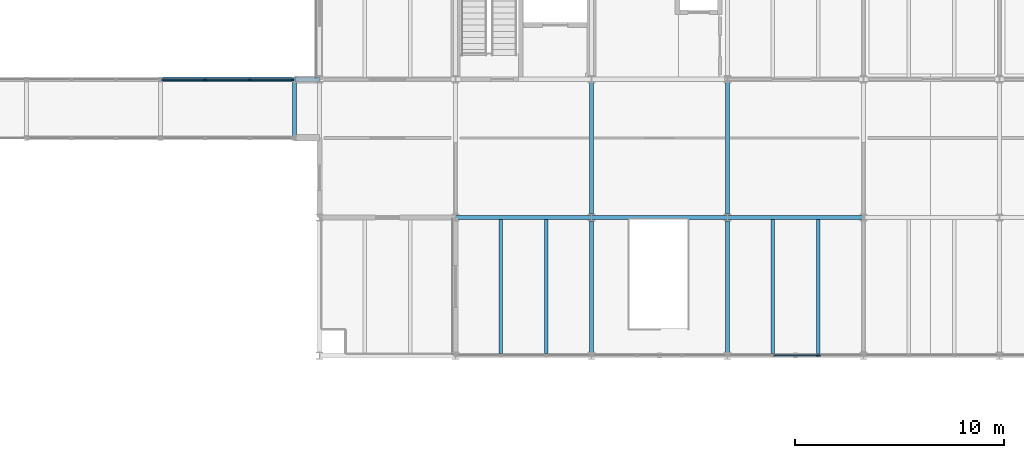
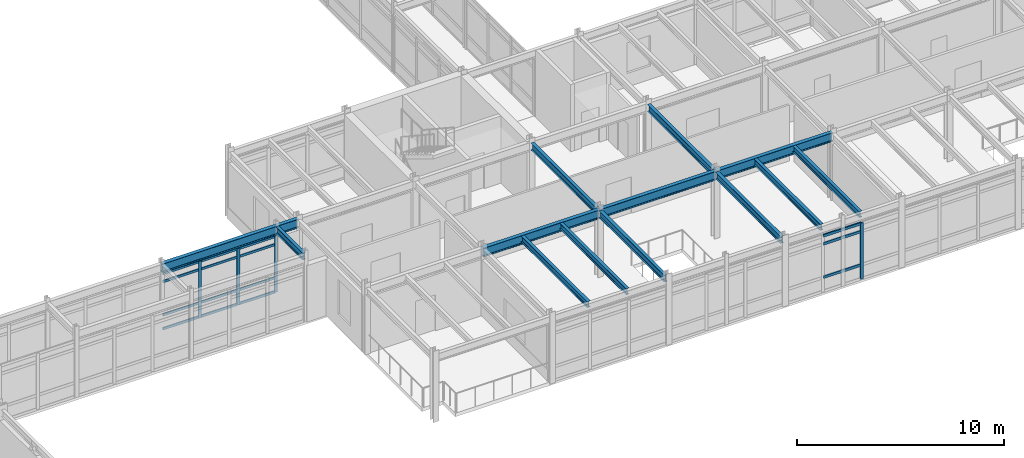
# One storey, part 69 of 144: 19 members, 14 beams, 2 elements without a shape of their own.
"""IFC4 building model written with IfcOpenShell, lengths in metres."""

from ifc_helpers import new_model, si_unit, direction, frame, origin, origin_2d, place, context, subcontext, project, spatial, rectangle, i_section, extrude, material, layer, layer_set, material_profile, profile_set, type_object, element, aggregate, save


model = new_model("IFC4")

# Units and contexts
model_context = context("Model", 3, precision=1e-05, world=origin(), true_north=direction((0.0, 1.0)))
body_context = subcontext(model_context, "Body", "Model", "MODEL_VIEW")
ifc_project = project(units=[si_unit("LENGTHUNIT", "METRE"), si_unit("AREAUNIT", "SQUARE_METRE"), si_unit("VOLUMEUNIT", "CUBIC_METRE"), si_unit("PLANEANGLEUNIT", "RADIAN"), si_unit("MASSUNIT", "GRAM", prefix="KILO")], contexts=[model_context])

# Site, building, storey
site_placement = place(None, origin())
site = spatial("IfcSite", under=ifc_project, at=site_placement, CompositionType="ELEMENT")
building_placement = place(site_placement, origin())
building = spatial("IfcBuilding", under=site, at=building_placement, Name="Trelmorton Wharf Fire Station", CompositionType="ELEMENT")
storey_placement = place(building_placement, frame((0.0, 0.0, 5.39990234375)))
storey = spatial("IfcBuildingStorey", under=building, at=storey_placement, Name="L01", CompositionType="ELEMENT", Elevation=5.39990234375)

# Beams
ifc_material_1 = material(Name="Steel Grade 350", Category="steel")
ifc_material_profile_1 = material_profile(ifc_material_1, i_section(OverallWidth=0.177978515625, OverallDepth=0.406005859375, WebThickness=0.0078125, FlangeThickness=0.0126953125, FilletRadius=0.011474609375, at=origin_2d()), Name="410UB59.7")
ifc_profile_set_1 = profile_set([ifc_material_profile_1], Name="Steel Grade 350")
beam_type_1 = type_object("IfcBeamType", Name="BM_410UB60", PredefinedType="BEAM", material=ifc_profile_set_1)
beam_1_placement = place(storey_placement, frame((102.800048828125, 18.301025390625, 3.72705078125), z_axis=(0.0, 1.0, 0.0), x_axis=(-1.0, 0.0, 0.0)))
element("IfcBeam", 1, at=beam_1_placement, inside=storey, type_object=beam_type_1, Name="BM-L01-0615", PredefinedType="BEAM", context=body_context, shape_type="SweptSolid", body=[
    extrude(i_section(OverallWidth=0.177978515625, OverallDepth=0.406005859375, WebThickness=0.0078125, FlangeThickness=0.0126953125, FilletRadius=0.011474609375, at=origin_2d()), origin(), (0.0, 0.0, 1.0), 2.597900390625),
])
for number, where, z_axis, x_axis, name in (
    (2, (117.0, 7.95947265625, 3.72705078125), (0.0, 1.0, 0.0), (-1.0, 0.0, 0.0), "BM-L01-0628"),
    (3, (117.0, 14.5595703125, 3.72705078125), (0.0, 1.0, 0.0), (-1.0, 0.0, 0.0), "BM-L01-0629"),
    (4, (123.5, 7.95947265625, 3.72705078125), (0.0, 1.0, 0.0), (-1.0, 0.0, 0.0), "BM-L01-0640"),
    (5, (123.5, 14.5595703125, 3.72705078125), (0.0, 1.0, 0.0), (-1.0, 0.0, 0.0), "BM-L01-0641"),
):
    element("IfcBeam", number, at=place(storey_placement, frame(where, z_axis=z_axis, x_axis=x_axis)), inside=storey, type_object=beam_type_1, Name=name, PredefinedType="BEAM", context=body_context, shape_type="SweptSolid", body=[
        extrude(i_section(OverallWidth=0.177978515625, OverallDepth=0.406005859375, WebThickness=0.0078125, FlangeThickness=0.0126953125, FilletRadius=0.011474609375, at=origin_2d()), origin(), (0.0, 0.0, 1.0), 6.281005859375),
    ])
ifc_material_profile_2 = material_profile(ifc_material_1, i_section(OverallWidth=0.208984375, OverallDepth=0.528076171875, WebThickness=0.009521484375, FlangeThickness=0.01318359375, FilletRadius=0.013916015625, at=origin_2d()), Name="530UB82.0")
ifc_profile_set_2 = profile_set([ifc_material_profile_2], Name="Steel Grade 350")
beam_type_2 = type_object("IfcBeamType", Name="BM_530UB82", PredefinedType="BEAM", material=ifc_profile_set_2)
for number, where, z_axis, x_axis, name in (
    (6, (110.505859375, 14.39990234375, 3.666015625), (1.0, 0.0, 0.0), (0.0, 1.0, 0.0), "BM-L01-0426"),
    (7, (117.005859375, 14.39990234375, 3.666015625), (1.0, 0.0, 0.0), (0.0, 1.0, 0.0), "BM-L01-0427"),
    (8, (123.505859375, 14.39990234375, 3.666015625), (1.0, 0.0, 0.0), (0.0, 1.0, 0.0), "BM-L01-0428"),
):
    element("IfcBeam", number, at=place(storey_placement, frame(where, z_axis=z_axis, x_axis=x_axis)), inside=storey, type_object=beam_type_2, Name=name, PredefinedType="BEAM", context=body_context, shape_type="SweptSolid", body=[
        extrude(i_section(OverallWidth=0.208984375, OverallDepth=0.528076171875, WebThickness=0.009521484375, FlangeThickness=0.01318359375, FilletRadius=0.013916015625, at=origin_2d()), origin(), (0.0, 0.0, 1.0), 6.48828125),
    ])
beam_2_placement = place(storey_placement, frame((96.404052734375, 21.0, 3.666015625), z_axis=(1.0, 0.0, 0.0), x_axis=(0.0, 1.0, 0.0)))
element("IfcBeam", 9, at=beam_2_placement, inside=storey, type_object=beam_type_2, Name="BM-L01-0441", PredefinedType="BEAM", context=body_context, shape_type="SweptSolid", body=[
    extrude(i_section(OverallWidth=0.208984375, OverallDepth=0.528076171875, WebThickness=0.009521484375, FlangeThickness=0.01318359375, FilletRadius=0.013916015625, at=origin_2d()), origin(), (0.0, 0.0, 1.0), 6.391845703125),
])
beam_3_placement = place(storey_placement, frame((102.803955078125, 21.0, 3.666015625), z_axis=(1.0, 0.0, 0.0), x_axis=(0.0, 1.0, 0.0)))
element("IfcBeam", 10, at=beam_3_placement, inside=storey, type_object=beam_type_2, Name="BM-L01-0442", PredefinedType="BEAM", context=body_context, shape_type="SweptSolid", body=[
    extrude(i_section(OverallWidth=0.208984375, OverallDepth=0.528076171875, WebThickness=0.009521484375, FlangeThickness=0.01318359375, FilletRadius=0.013916015625, at=origin_2d()), origin(), (0.0, 0.0, 1.0), 1.190185546875),
])

# Curtain wall, members
ifc_material_2 = material(Name="Anodised aluminium AW-6063", Category="aluminium")
ifc_layer_1 = layer(ifc_material_2, 0.139892578125)
ifc_layer_set_1 = layer_set([ifc_layer_1], Name="Anodised aluminium AW-6063")
curtain_wall_type_1 = type_object("IfcCurtainWallType", Name="CW_BRDG_A", PredefinedType="USERDEFINED", material=ifc_layer_set_1)
curtain_wall_1_placement = place(storey_placement, origin())
curtain_wall_1 = element("IfcCurtainWall", 11, at=curtain_wall_1_placement, inside=storey, type_object=curtain_wall_type_1, Name="CW-BR-L01-159", ObjectType="UNITISED CURTAIN WALL", PredefinedType="USERDEFINED")
ifc_material_profile_3 = material_profile(ifc_material_2, rectangle(XDim=0.06494140625, YDim=0.159912109375, at=origin_2d()), Name="ALU-65x160")
ifc_profile_set_3 = profile_set([ifc_material_profile_3], Name="Anodised aluminium AW-6063")
member_type_1 = type_object("IfcMemberType", Name="CWM_65x160", PredefinedType="MULLION", material=ifc_profile_set_3)
member_1_placement = place(storey_placement, frame((98.534912109375, 21.0, 0.0), z_axis=(0.0, 0.0, 1.0), x_axis=(0.0, 1.0, 0.0)))
member_1 = element("IfcMember", 12, at=member_1_placement, type_object=member_type_1, Name="CW4 mullion 2", PredefinedType="MULLION", context=body_context, shape_type="SweptSolid", body=[
    extrude(rectangle(XDim=0.06494140625, YDim=0.159912109375, at=origin_2d()), origin(), (0.0, 0.0, 1.0), 3.320068359375),
])
member_2_placement = place(storey_placement, frame((100.6650390625, 21.0, 0.0), z_axis=(0.0, 0.0, 1.0), x_axis=(0.0, 1.0, 0.0)))
member_2 = element("IfcMember", 13, at=member_2_placement, type_object=member_type_1, Name="CW4 mullion 3", PredefinedType="MULLION", context=body_context, shape_type="SweptSolid", body=[
    extrude(rectangle(XDim=0.06494140625, YDim=0.159912109375, at=origin_2d()), origin(), (0.0, 0.0, 1.0), 3.320068359375),
])
member_3_placement = place(storey_placement, frame((102.764892578125, 21.0, 0.0), z_axis=(0.0, 0.0, 1.0), x_axis=(0.0, 1.0, 0.0)))
member_3 = element("IfcMember", 14, at=member_3_placement, type_object=member_type_1, Name="CW4 mullion 4", PredefinedType="MULLION", context=body_context, shape_type="SweptSolid", body=[
    extrude(rectangle(XDim=0.06494140625, YDim=0.159912109375, at=origin_2d()), origin(), (0.0, 0.0, 1.0), 3.320068359375),
])

# Curtain wall, member
ifc_layer_2 = layer(ifc_material_2, 0.175048828125)
ifc_layer_set_2 = layer_set([ifc_layer_2], Name="Anodised aluminium AW-6063")
curtain_wall_type_2 = type_object("IfcCurtainWallType", Name="CW_CHIC_B", PredefinedType="USERDEFINED", material=ifc_layer_set_2)
curtain_wall_2_placement = place(storey_placement, origin())
curtain_wall_2 = element("IfcCurtainWall", 15, at=curtain_wall_2_placement, inside=storey, type_object=curtain_wall_type_2, Name="CW-V5-L01-040", ObjectType="CHICAGO BAY CURTAIN WALL", PredefinedType="USERDEFINED")
ifc_material_profile_4 = material_profile(ifc_material_2, rectangle(XDim=0.074951171875, YDim=0.175048828125, at=origin_2d()), Name="ALU-75x175")
ifc_profile_set_4 = profile_set([ifc_material_profile_4], Name="Anodised aluminium AW-6063")
member_type_2 = type_object("IfcMemberType", Name="CWM_75x175", PredefinedType="MULLION", material=ifc_profile_set_4)
member_4_placement = place(storey_placement, frame((127.831787109375, 7.800048828125, 0.0), z_axis=(0.0, 0.0, 1.0), x_axis=(0.0, -1.0, 0.0)))
member_4 = element("IfcMember", 16, at=member_4_placement, type_object=member_type_2, Name="CW2 mullion 2", PredefinedType="MULLION", context=body_context, shape_type="SweptSolid", body=[
    extrude(rectangle(XDim=0.074951171875, YDim=0.175048828125, at=origin_2d()), origin(), (0.0, 0.0, 1.0), 3.320068359375),
])

# Member
ifc_material_profile_5 = material_profile(ifc_material_2, rectangle(XDim=0.06494140625, YDim=0.139892578125, at=origin_2d()), Name="ALU-65x140")
ifc_profile_set_5 = profile_set([ifc_material_profile_5], Name="Anodised aluminium AW-6063")
member_type_3 = type_object("IfcMemberType", Name="CWT_65x140", PredefinedType="USERDEFINED", material=ifc_profile_set_5)
member_5_placement = place(storey_placement, frame((96.465087890625, 21.0, 0.030029296875), z_axis=(1.0, 0.0, 0.0), x_axis=(0.0, 1.0, 0.0)))
member_5 = element("IfcMember", 17, at=member_5_placement, type_object=member_type_3, Name="CW4 transom 1.1", ObjectType="TRANSOM", PredefinedType="USERDEFINED", context=body_context, shape_type="SweptSolid", body=[
    extrude(rectangle(XDim=0.06494140625, YDim=0.139892578125, at=origin_2d()), origin(), (0.0, 0.0, 1.0), 2.039794921875),
])

member_6_placement = place(storey_placement, frame((96.465087890625, 21.0, 0.85009765625), z_axis=(1.0, 0.0, 0.0), x_axis=(0.0, 1.0, 0.0)))
member_6 = element("IfcMember", 18, at=member_6_placement, type_object=member_type_3, Name="CW4 transom 1.2", ObjectType="TRANSOM", PredefinedType="USERDEFINED", context=body_context, shape_type="SweptSolid", body=[
    extrude(rectangle(XDim=0.06494140625, YDim=0.139892578125, at=origin_2d()), origin(), (0.0, 0.0, 1.0), 2.039794921875),
])

member_7_placement = place(storey_placement, frame((96.465087890625, 21.0, 2.820068359375), z_axis=(1.0, 0.0, 0.0), x_axis=(0.0, 1.0, 0.0)))
member_7 = element("IfcMember", 19, at=member_7_placement, type_object=member_type_3, Name="CW4 transom 1.3", ObjectType="TRANSOM", PredefinedType="USERDEFINED", context=body_context, shape_type="SweptSolid", body=[
    extrude(rectangle(XDim=0.06494140625, YDim=0.139892578125, at=origin_2d()), origin(), (0.0, 0.0, 1.0), 2.039794921875),
])

member_8_placement = place(storey_placement, frame((96.465087890625, 21.0, 3.2900390625), z_axis=(1.0, 0.0, 0.0), x_axis=(0.0, 1.0, 0.0)))
member_8 = element("IfcMember", 20, at=member_8_placement, type_object=member_type_3, Name="CW4 transom 1.4", ObjectType="TRANSOM", PredefinedType="USERDEFINED", context=body_context, shape_type="SweptSolid", body=[
    extrude(rectangle(XDim=0.06494140625, YDim=0.139892578125, at=origin_2d()), origin(), (0.0, 0.0, 1.0), 2.039794921875),
])

member_9_placement = place(storey_placement, frame((98.56494140625, 21.0, 0.030029296875), z_axis=(1.0, 0.0, 0.0), x_axis=(0.0, 1.0, 0.0)))
member_9 = element("IfcMember", 21, at=member_9_placement, type_object=member_type_3, Name="CW4 transom 2.1", ObjectType="TRANSOM", PredefinedType="USERDEFINED", context=body_context, shape_type="SweptSolid", body=[
    extrude(rectangle(XDim=0.06494140625, YDim=0.139892578125, at=origin_2d()), origin(), (0.0, 0.0, 1.0), 2.070068359375),
])

member_10_placement = place(storey_placement, frame((98.56494140625, 21.0, 0.85009765625), z_axis=(1.0, 0.0, 0.0), x_axis=(0.0, 1.0, 0.0)))
member_10 = element("IfcMember", 22, at=member_10_placement, type_object=member_type_3, Name="CW4 transom 2.2", ObjectType="TRANSOM", PredefinedType="USERDEFINED", context=body_context, shape_type="SweptSolid", body=[
    extrude(rectangle(XDim=0.06494140625, YDim=0.139892578125, at=origin_2d()), origin(), (0.0, 0.0, 1.0), 2.070068359375),
])

member_11_placement = place(storey_placement, frame((98.56494140625, 21.0, 2.820068359375), z_axis=(1.0, 0.0, 0.0), x_axis=(0.0, 1.0, 0.0)))
member_11 = element("IfcMember", 23, at=member_11_placement, type_object=member_type_3, Name="CW4 transom 2.3", ObjectType="TRANSOM", PredefinedType="USERDEFINED", context=body_context, shape_type="SweptSolid", body=[
    extrude(rectangle(XDim=0.06494140625, YDim=0.139892578125, at=origin_2d()), origin(), (0.0, 0.0, 1.0), 2.070068359375),
])

member_12_placement = place(storey_placement, frame((98.56494140625, 21.0, 3.2900390625), z_axis=(1.0, 0.0, 0.0), x_axis=(0.0, 1.0, 0.0)))
member_12 = element("IfcMember", 24, at=member_12_placement, type_object=member_type_3, Name="CW4 transom 2.4", ObjectType="TRANSOM", PredefinedType="USERDEFINED", context=body_context, shape_type="SweptSolid", body=[
    extrude(rectangle(XDim=0.06494140625, YDim=0.139892578125, at=origin_2d()), origin(), (0.0, 0.0, 1.0), 2.070068359375),
])

member_13_placement = place(storey_placement, frame((100.695068359375, 21.0, 0.030029296875), z_axis=(1.0, 0.0, 0.0), x_axis=(0.0, 1.0, 0.0)))
member_13 = element("IfcMember", 25, at=member_13_placement, type_object=member_type_3, Name="CW4 transom 3.1", ObjectType="TRANSOM", PredefinedType="USERDEFINED", context=body_context, shape_type="SweptSolid", body=[
    extrude(rectangle(XDim=0.06494140625, YDim=0.139892578125, at=origin_2d()), origin(), (0.0, 0.0, 1.0), 2.0400390625),
])

member_14_placement = place(storey_placement, frame((100.695068359375, 21.0, 0.85009765625), z_axis=(1.0, 0.0, 0.0), x_axis=(0.0, 1.0, 0.0)))
member_14 = element("IfcMember", 26, at=member_14_placement, type_object=member_type_3, Name="CW4 transom 3.2", ObjectType="TRANSOM", PredefinedType="USERDEFINED", context=body_context, shape_type="SweptSolid", body=[
    extrude(rectangle(XDim=0.06494140625, YDim=0.139892578125, at=origin_2d()), origin(), (0.0, 0.0, 1.0), 2.0400390625),
])

member_15_placement = place(storey_placement, frame((100.695068359375, 21.0, 2.820068359375), z_axis=(1.0, 0.0, 0.0), x_axis=(0.0, 1.0, 0.0)))
member_15 = element("IfcMember", 27, at=member_15_placement, type_object=member_type_3, Name="CW4 transom 3.3", ObjectType="TRANSOM", PredefinedType="USERDEFINED", context=body_context, shape_type="SweptSolid", body=[
    extrude(rectangle(XDim=0.06494140625, YDim=0.139892578125, at=origin_2d()), origin(), (0.0, 0.0, 1.0), 2.0400390625),
])

member_16_placement = place(storey_placement, frame((100.695068359375, 21.0, 3.2900390625), z_axis=(1.0, 0.0, 0.0), x_axis=(0.0, 1.0, 0.0)))
member_16 = element("IfcMember", 28, at=member_16_placement, type_object=member_type_3, Name="CW4 transom 3.4", ObjectType="TRANSOM", PredefinedType="USERDEFINED", context=body_context, shape_type="SweptSolid", body=[
    extrude(rectangle(XDim=0.06494140625, YDim=0.139892578125, at=origin_2d()), origin(), (0.0, 0.0, 1.0), 2.0400390625),
])

aggregate(curtain_wall_1, [member_1, member_2, member_3, member_5, member_6, member_7, member_8, member_9, member_10, member_11, member_12, member_13, member_14, member_15, member_16])

ifc_material_profile_6 = material_profile(ifc_material_2, rectangle(XDim=0.074951171875, YDim=0.155029296875, at=origin_2d()), Name="ALU-75x155")
ifc_profile_set_6 = profile_set([ifc_material_profile_6], Name="Anodised aluminium AW-6063")
member_type_4 = type_object("IfcMemberType", Name="CWT_75x155", PredefinedType="USERDEFINED", material=ifc_profile_set_6)
member_17_placement = place(storey_placement, frame((127.8017578125, 7.800048828125, 0.85009765625), z_axis=(-1.0, 0.0, 0.0), x_axis=(0.0, -1.0, 0.0)))
member_17 = element("IfcMember", 29, at=member_17_placement, type_object=member_type_4, Name="CW2 transom 2.2", ObjectType="TRANSOM", PredefinedType="USERDEFINED", context=body_context, shape_type="SweptSolid", body=[
    extrude(rectangle(XDim=0.074951171875, YDim=0.155029296875, at=origin_2d()), origin(), (0.0, 0.0, 1.0), 2.103515625),
])

member_18_placement = place(storey_placement, frame((127.8017578125, 7.800048828125, 2.820068359375), z_axis=(-1.0, 0.0, 0.0), x_axis=(0.0, -1.0, 0.0)))
member_18 = element("IfcMember", 30, at=member_18_placement, type_object=member_type_4, Name="CW2 transom 2.3", ObjectType="TRANSOM", PredefinedType="USERDEFINED", context=body_context, shape_type="SweptSolid", body=[
    extrude(rectangle(XDim=0.074951171875, YDim=0.155029296875, at=origin_2d()), origin(), (0.0, 0.0, 1.0), 2.103515625),
])

member_19_placement = place(storey_placement, frame((127.8017578125, 7.800048828125, 3.2900390625), z_axis=(-1.0, 0.0, 0.0), x_axis=(0.0, -1.0, 0.0)))
member_19 = element("IfcMember", 31, at=member_19_placement, type_object=member_type_4, Name="CW2 transom 2.4", ObjectType="TRANSOM", PredefinedType="USERDEFINED", context=body_context, shape_type="SweptSolid", body=[
    extrude(rectangle(XDim=0.074951171875, YDim=0.155029296875, at=origin_2d()), origin(), (0.0, 0.0, 1.0), 2.103515625),
])

aggregate(curtain_wall_2, [member_4, member_17, member_18, member_19])

# Beams
ifc_material_profile_7 = material_profile(ifc_material_1, i_section(OverallWidth=0.172119140625, OverallDepth=0.35888671875, WebThickness=0.008056640625, FlangeThickness=0.012939453125, FilletRadius=0.011474609375, at=origin_2d()), Name="360UB56.7")
ifc_profile_set_7 = profile_set([ifc_material_profile_7], Name="Steel Grade 350")
beam_type_3 = type_object("IfcBeamType", Name="JS_360UB57", PredefinedType="JOIST", material=ifc_profile_set_7)
for number, where, z_axis, x_axis, name in (
    (32, (112.666748046875, 7.889892578125, 3.75048828125), (0.0, 1.0, 0.0), (-1.0, 0.0, 0.0), "JS-L01-0165"),
    (33, (114.833251953125, 7.889892578125, 3.75048828125), (0.0, 1.0, 0.0), (-1.0, 0.0, 0.0), "JS-L01-0166"),
    (34, (125.666748046875, 7.889892578125, 3.75048828125), (0.0, 1.0, 0.0), (-1.0, 0.0, 0.0), "JS-L01-0171"),
    (35, (127.833251953125, 7.889892578125, 3.75048828125), (0.0, 1.0, 0.0), (-1.0, 0.0, 0.0), "JS-L01-0172"),
):
    element("IfcBeam", number, at=place(storey_placement, frame(where, z_axis=z_axis, x_axis=x_axis)), inside=storey, type_object=beam_type_3, Name=name, PredefinedType="JOIST", context=body_context, shape_type="SweptSolid", body=[
        extrude(i_section(OverallWidth=0.172119140625, OverallDepth=0.35888671875, WebThickness=0.008056640625, FlangeThickness=0.012939453125, FilletRadius=0.011474609375, at=origin_2d()), origin(), (0.0, 0.0, 1.0), 6.420166015625),
    ])

save(model, "model.ifc")
